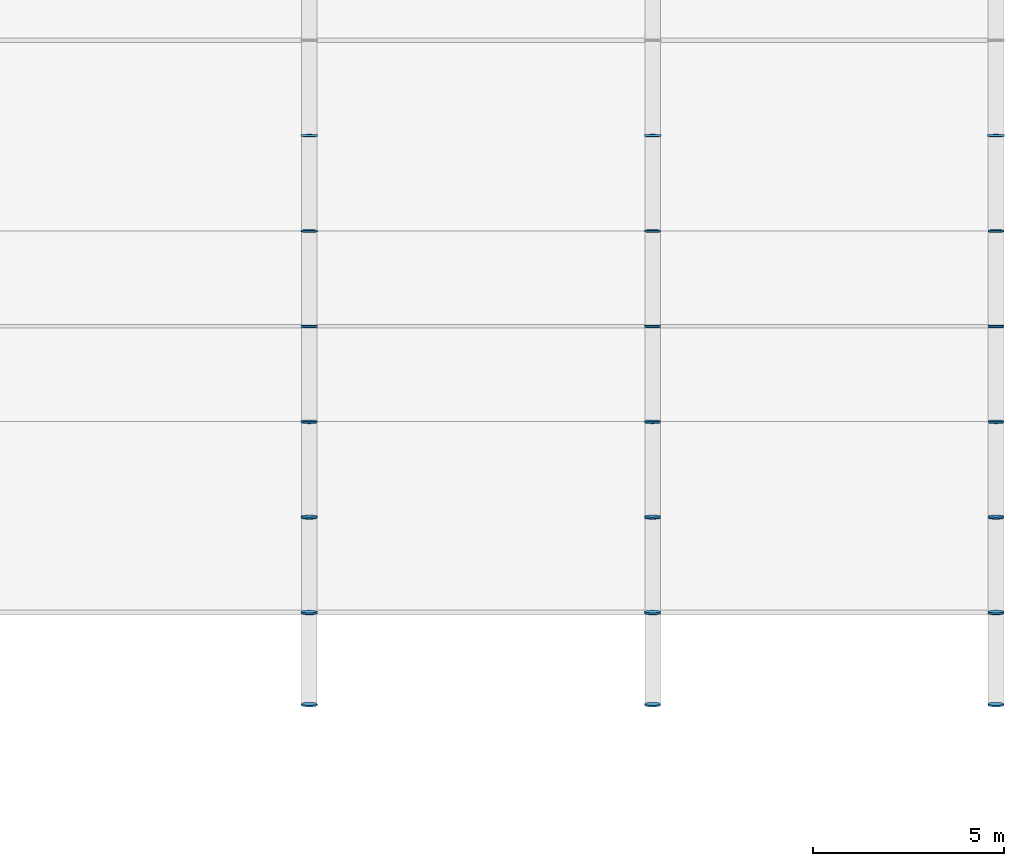
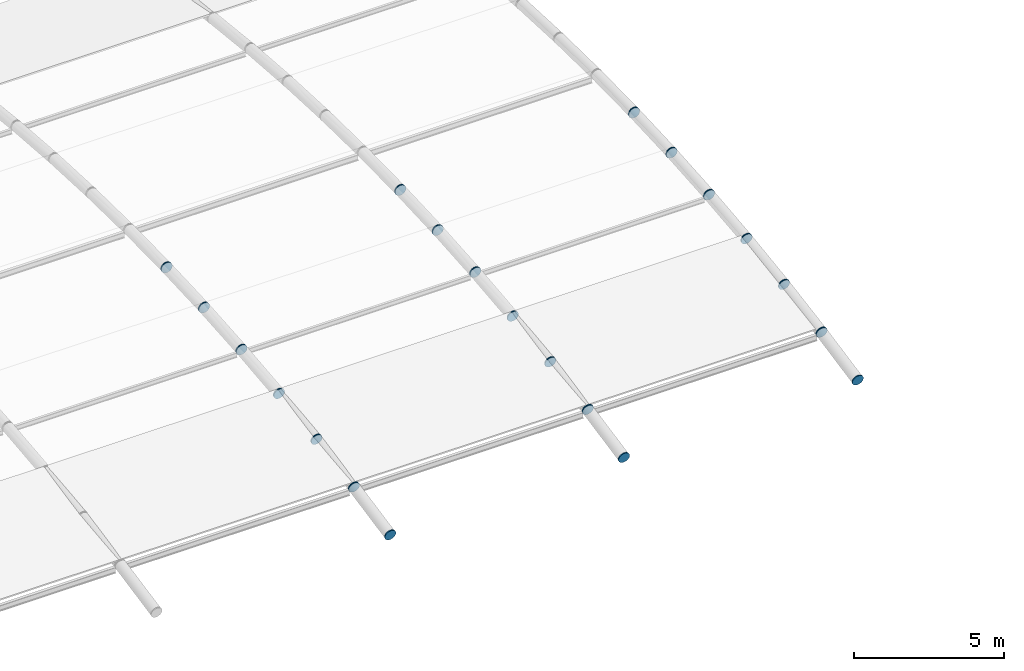
# One storey, part 79 of 105: 39 discrete accessories.
"""IFC4 building model written with IfcOpenShell, lengths in metres."""

import ifcopenshell
import ifcopenshell.guid

model = None  # the IFC model being written
_history = None  # IfcOwnerHistory: only IFC2X3 demands one
_inside = {}  # id of a spatial element -> (the spatial element, [elements in it])
_under = {}  # id of a project, library or spatial element -> (it, [spatial elements below it])
_declared = {}  # id of a project -> (the project, [libraries it declares])
_typed = {}  # id of a type object -> (the type object, [elements of that type])
_made_of = {}  # id of a material, layer set ... -> (it, [elements and type objects made of it])


def new_model(schema):
    """Start an empty IFC model of exactly this schema.

    Asked for "IFC4X3", IfcOpenShell would pick the latest addendum, in which some entities
    have other attributes; the version numbers below select the first issue.
    IFC2X3 requires an IfcOwnerHistory on every rooted entity: one is made here for all.
    """
    global model, _history
    if schema == "IFC4X3":
        model = ifcopenshell.file(schema_version=(4, 3, 0, 0))
    else:
        model = ifcopenshell.file(schema=schema)
    _inside.clear()
    _under.clear()
    _declared.clear()
    _typed.clear()
    _made_of.clear()
    _history = None
    if model.schema == "IFC2X3":
        org = make("IfcOrganization", Name="unknown")
        user = make(
            "IfcPersonAndOrganization",
            ThePerson=make("IfcPerson", FamilyName="unknown"),
            TheOrganization=org,
        )
        app = make(
            "IfcApplication",
            ApplicationDeveloper=org,
            Version="unknown",
            ApplicationFullName="unknown",
            ApplicationIdentifier="unknown",
        )
        _history = make(
            "IfcOwnerHistory",
            OwningUser=user,
            OwningApplication=app,
            ChangeAction="ADDED",
            CreationDate=0,
        )
    return model


def make(cls, **values):
    """One entity of the class cls with the attributes given. An attribute that is None is left unset."""
    return model.create_entity(
        cls, **{name: value for name, value in values.items() if value is not None}
    )


def rooted(cls, **values):
    """An entity with a GlobalId (a new one), such as an element, a storey or a relation."""
    return make(cls, GlobalId=ifcopenshell.guid.new(), OwnerHistory=_history, **values)


def si_unit(unit_type, name, prefix=None):
    """IfcSIUnit, for example si_unit("LENGTHUNIT", "METRE", prefix="MILLI")."""
    return make("IfcSIUnit", UnitType=unit_type, Prefix=prefix, Name=name)


def assignment(units):
    """IfcUnitAssignment: the units of a project."""
    return None if units is None else make("IfcUnitAssignment", Units=units)


def point(xyz):
    """IfcCartesianPoint."""
    return None if xyz is None else make("IfcCartesianPoint", Coordinates=xyz)


def direction(xyz):
    """IfcDirection."""
    return None if xyz is None else make("IfcDirection", DirectionRatios=xyz)


def frame(location, z_axis=None, x_axis=None):
    """IfcAxis2Placement3D, a coordinate frame: its origin and axes. An axis left out is left unset."""
    return make(
        "IfcAxis2Placement3D",
        Location=point(location),
        Axis=direction(z_axis),
        RefDirection=direction(x_axis),
    )


def frame_2d(location, x_axis=None):
    """IfcAxis2Placement2D, a coordinate frame in the plane: its origin and x axis."""
    return make(
        "IfcAxis2Placement2D", Location=point(location), RefDirection=direction(x_axis)
    )


def origin():
    """The frame at (0, 0, 0) with its axes left unset."""
    return frame((0.0, 0.0, 0.0))


def origin_2d():
    """The frame at (0, 0) in the plane with its x axis left unset."""
    return frame_2d((0.0, 0.0))


def place(relative_to, where):
    """IfcLocalPlacement: puts the frame where relative to a parent placement (None: the world)."""
    return make(
        "IfcLocalPlacement", PlacementRelTo=relative_to, RelativePlacement=where
    )


def context(
    kind, dimensions, precision=None, world=None, true_north=None, identifier=None
):
    """IfcGeometricRepresentationContext, for example the 3D "Model" context."""
    return make(
        "IfcGeometricRepresentationContext",
        ContextIdentifier=identifier,
        ContextType=kind,
        CoordinateSpaceDimension=dimensions,
        Precision=precision,
        WorldCoordinateSystem=world,
        TrueNorth=true_north,
    )


def subcontext(parent, identifier, kind, view, scale=None):
    """IfcGeometricRepresentationSubContext, for example "Body" below "Model"."""
    return make(
        "IfcGeometricRepresentationSubContext",
        ContextIdentifier=identifier,
        ContextType=kind,
        ParentContext=parent,
        TargetScale=scale,
        TargetView=view,
    )


def project(units=None, contexts=None):
    """IfcProject with its units and contexts."""
    return rooted(
        "IfcProject",
        Name="project",
        RepresentationContexts=contexts,
        UnitsInContext=assignment(units),
    )


def spatial(cls, under=None, at=None, **own):
    """A site, building, storey or space (cls), placed at a placement, below another one or the project."""
    s = rooted(cls, ObjectPlacement=at, **own)
    if under is not None:
        _under.setdefault(under.id(), (under, []))[1].append(s)
    return s


def profile(cls, at=None, kind="AREA", **sizes):
    """A parametric profile (cls). Its sizes go by their IFC names, for example OverallWidth=200.0."""
    return make(cls, ProfileType=kind, Position=at, **sizes)


def circle(**sizes):
    """IfcCircleProfileDef."""
    return profile("IfcCircleProfileDef", **sizes)


def extrude(swept, where, along, depth):
    """IfcExtrudedAreaSolid: the profile swept, set in the frame where, extruded along a direction by depth."""
    return make(
        "IfcExtrudedAreaSolid",
        SweptArea=swept,
        Position=where,
        ExtrudedDirection=direction(along),
        Depth=depth,
    )


def shape(context_of_items, identifier, shape_type, items):
    """IfcShapeRepresentation: the items that make up one representation, for example the "Body"."""
    return make(
        "IfcShapeRepresentation",
        ContextOfItems=context_of_items,
        RepresentationIdentifier=identifier,
        RepresentationType=shape_type,
        Items=items,
    )


def material(Name=None, Category=None):
    """IfcMaterial."""
    return make("IfcMaterial", Name=Name, Category=Category)


def made_of(thing, what):
    """Note that an element or type object is made of a material, layer set ...; save() writes the relation."""
    if what is not None:
        _made_of.setdefault(what.id(), (what, []))[1].append(thing)
    return thing


def element(
    cls,
    number,
    at=None,
    inside=None,
    cuts=None,
    type_object=None,
    material=None,
    context=None,
    identifier="Body",
    shape_type=None,
    held_by="IfcProductDefinitionShape",
    body=None,
    shapes=None,
    **own,
):
    """One element of the class cls, such as IfcWall. Its Tag is "e" and its number.

    at: its placement. inside: the storey or other place that contains it. cuts: it is an
    opening in that element (IfcRelVoidsElement). A single representation is given by context,
    identifier, shape_type and body (its items); several are given by shapes. held_by: the class
    of the entity that holds the representations. save() writes the other relations.
    """
    e = rooted(cls, Tag="e%d" % number, ObjectPlacement=at, **own)
    if body is not None:
        shapes = [shape(context, identifier, shape_type, body)]
    if shapes is not None:
        e.Representation = make(held_by, Representations=shapes)
    if inside is not None:
        _inside.setdefault(inside.id(), (inside, []))[1].append(e)
    if cuts is not None:
        rooted(
            "IfcRelVoidsElement", RelatingBuildingElement=cuts, RelatedOpeningElement=e
        )
    if type_object is not None:
        _typed.setdefault(type_object.id(), (type_object, []))[1].append(e)
    return made_of(e, material)


def aggregate(whole, parts):
    """IfcRelAggregates: a whole, such as a stair, and the parts it consists of."""
    return rooted("IfcRelAggregates", RelatingObject=whole, RelatedObjects=parts)


def save(model, path):
    """Write the relations noted so far, then the file.

    IfcRelAggregates (storeys below a building ...), IfcRelContainedInSpatialStructure (elements
    in a storey), IfcRelDefinesByType, IfcRelAssociatesMaterial and IfcRelDeclares: one each for
    every whole, place, type object, material and project.
    """
    for whole, parts in _under.values():
        aggregate(whole, parts)
    for where, things in _inside.values():
        rooted(
            "IfcRelContainedInSpatialStructure",
            RelatedElements=things,
            RelatingStructure=where,
        )
    for kind, things in _typed.values():
        rooted("IfcRelDefinesByType", RelatedObjects=things, RelatingType=kind)
    for what, things in _made_of.values():
        rooted("IfcRelAssociatesMaterial", RelatedObjects=things, RelatingMaterial=what)
    for by, libraries in _declared.values():
        rooted("IfcRelDeclares", RelatingContext=by, RelatedDefinitions=libraries)
    model.write(path)


model = new_model("IFC4")

# Units and contexts
model_context = context("Model", 3, precision=1e-05, world=origin(), true_north=direction((0.0, 1.0)))
body_context = subcontext(model_context, "Body", "Model", "MODEL_VIEW")
ifc_project = project(units=[si_unit("LENGTHUNIT", "METRE"), si_unit("AREAUNIT", "SQUARE_METRE"), si_unit("VOLUMEUNIT", "CUBIC_METRE"), si_unit("PLANEANGLEUNIT", "RADIAN"), si_unit("MASSUNIT", "GRAM", prefix="KILO")], contexts=[model_context])

# Site, building, storey
site_placement = place(None, origin())
site = spatial("IfcSite", under=ifc_project, at=site_placement, CompositionType="ELEMENT")
building_placement = place(site_placement, origin())
building = spatial("IfcBuilding", under=site, at=building_placement, Name="Marlcrest Central Station", CompositionType="ELEMENT")
storey_placement = place(building_placement, frame((0.0, 0.0, 15.0)))
storey = spatial("IfcBuildingStorey", under=building, at=storey_placement, Name="L03", CompositionType="ELEMENT", Elevation=15.0)

# Discrete accessories
ifc_material = material(Name="Steel S355", Category="steel")
for number, where, z_axis, x_axis, name in (
    (1, (198.0, 48.5654296875, -0.0859375), (0.0, 0.980359417961, 0.197219196874), (-1.0, 0.0, 0.0), "endcap-mem-AC-01-L03-01808-s"),
    (2, (198.0, 50.9755859375, 0.39892578125), (0.0, 0.980359417961, 0.197219196874), (-1.0, 0.0, 0.0), "endcap-mem-AC-01-L03-01808-e"),
    (3, (198.0, 50.985107421875, 0.4013671875), (0.0, 0.98574109921, 0.168269086076), (-1.0, 0.0, 0.0), "endcap-mem-AC-01-L03-01812-s"),
    (4, (198.0, 53.475341796875, 0.826416015625), (0.0, 0.98574109921, 0.168269086076), (-1.0, 0.0, 0.0), "endcap-mem-AC-01-L03-01812-e"),
    (5, (198.0, 53.485107421875, 0.82861328125), (0.0, 0.990402740232, 0.138211476152), (-1.0, 0.0, 0.0), "endcap-mem-AC-01-L03-01816-s"),
    (6, (198.0, 55.975341796875, 1.176025390625), (0.0, 0.990402740232, 0.138211476152), (-1.0, 0.0, 0.0), "endcap-mem-AC-01-L03-01816-e"),
    (7, (198.0, 55.985107421875, 1.177734375), (0.0, 0.994155341034, 0.107959056565), (-1.0, 0.0, 0.0), "endcap-mem-AC-01-L03-01820-s"),
    (8, (198.0, 58.47509765625, 1.4482421875), (0.0, 0.994155341034, 0.107959056565), (-1.0, 0.0, 0.0), "endcap-mem-AC-01-L03-01820-e"),
    (9, (198.0, 58.485107421875, 1.44970703125), (0.0, 0.996999825732, 0.077403795064), (-1.0, 0.0, 0.0), "endcap-mem-AC-01-L03-01824-s"),
    (10, (198.0, 60.97509765625, 1.64306640625), (0.0, 0.996999825732, 0.077403795064), (-1.0, 0.0, 0.0), "endcap-mem-AC-01-L03-01824-e"),
    (11, (198.0, 60.985107421875, 1.644287109375), (0.0, 0.998921349185, 0.046434234591), (-1.0, 0.0, 0.0), "endcap-mem-AC-01-L03-01828-s"),
    (12, (198.0, 63.47509765625, 1.760009765625), (0.0, 0.998921349185, 0.046434234591), (-1.0, 0.0, 0.0), "endcap-mem-AC-01-L03-01828-e"),
    (13, (198.0, 63.485107421875, 1.760986328125), (0.0, 0.999879472592, 0.01552547228), (-1.0, 0.0, 0.0), "endcap-mem-AC-01-L03-01832-s"),
    (14, (207.0, 48.5654296875, -0.0859375), (0.0, 0.980359417961, 0.197219196874), (-1.0, 0.0, 0.0), "endcap-mem-AC-01-L03-01924-s"),
    (15, (207.0, 50.9755859375, 0.39892578125), (0.0, 0.980359417961, 0.197219196874), (-1.0, 0.0, 0.0), "endcap-mem-AC-01-L03-01924-e"),
    (16, (207.0, 50.985107421875, 0.4013671875), (0.0, 0.98574109921, 0.168269086076), (-1.0, 0.0, 0.0), "endcap-mem-AC-01-L03-01928-s"),
    (17, (207.0, 53.475341796875, 0.826416015625), (0.0, 0.98574109921, 0.168269086076), (-1.0, 0.0, 0.0), "endcap-mem-AC-01-L03-01928-e"),
    (18, (207.0, 53.485107421875, 0.82861328125), (0.0, 0.990402740232, 0.138211476152), (-1.0, 0.0, 0.0), "endcap-mem-AC-01-L03-01932-s"),
    (19, (207.0, 55.975341796875, 1.176025390625), (0.0, 0.990402740232, 0.138211476152), (-1.0, 0.0, 0.0), "endcap-mem-AC-01-L03-01932-e"),
    (20, (207.0, 55.985107421875, 1.177734375), (0.0, 0.994155341034, 0.107959056565), (-1.0, 0.0, 0.0), "endcap-mem-AC-01-L03-01936-s"),
    (21, (207.0, 58.47509765625, 1.4482421875), (0.0, 0.994155341034, 0.107959056565), (-1.0, 0.0, 0.0), "endcap-mem-AC-01-L03-01936-e"),
    (22, (207.0, 58.485107421875, 1.44970703125), (0.0, 0.996999825732, 0.077403795064), (-1.0, 0.0, 0.0), "endcap-mem-AC-01-L03-01940-s"),
    (23, (207.0, 60.97509765625, 1.64306640625), (0.0, 0.996999825732, 0.077403795064), (-1.0, 0.0, 0.0), "endcap-mem-AC-01-L03-01940-e"),
    (24, (207.0, 60.985107421875, 1.644287109375), (0.0, 0.998921349185, 0.046434234591), (-1.0, 0.0, 0.0), "endcap-mem-AC-01-L03-01944-s"),
    (25, (207.0, 63.47509765625, 1.760009765625), (0.0, 0.998921349185, 0.046434234591), (-1.0, 0.0, 0.0), "endcap-mem-AC-01-L03-01944-e"),
    (26, (207.0, 63.485107421875, 1.760986328125), (0.0, 0.999879472592, 0.01552547228), (-1.0, 0.0, 0.0), "endcap-mem-AC-01-L03-01948-s"),
    (27, (216.0, 48.5654296875, -0.0859375), (0.0, 0.980359417961, 0.197219196874), (-1.0, 0.0, 0.0), "endcap-mem-AC-01-L03-02040-s"),
    (28, (216.0, 50.9755859375, 0.39892578125), (0.0, 0.980359417961, 0.197219196874), (-1.0, 0.0, 0.0), "endcap-mem-AC-01-L03-02040-e"),
    (29, (216.0, 50.985107421875, 0.4013671875), (0.0, 0.98574109921, 0.168269086076), (-1.0, 0.0, 0.0), "endcap-mem-AC-01-L03-02044-s"),
    (30, (216.0, 53.475341796875, 0.826416015625), (0.0, 0.98574109921, 0.168269086076), (-1.0, 0.0, 0.0), "endcap-mem-AC-01-L03-02044-e"),
    (31, (216.0, 53.485107421875, 0.82861328125), (0.0, 0.990402740232, 0.138211476152), (-1.0, 0.0, 0.0), "endcap-mem-AC-01-L03-02048-s"),
    (32, (216.0, 55.975341796875, 1.176025390625), (0.0, 0.990402740232, 0.138211476152), (-1.0, 0.0, 0.0), "endcap-mem-AC-01-L03-02048-e"),
    (33, (216.0, 55.985107421875, 1.177734375), (0.0, 0.994155341034, 0.107959056565), (-1.0, 0.0, 0.0), "endcap-mem-AC-01-L03-02052-s"),
    (34, (216.0, 58.47509765625, 1.4482421875), (0.0, 0.994155341034, 0.107959056565), (-1.0, 0.0, 0.0), "endcap-mem-AC-01-L03-02052-e"),
    (35, (216.0, 58.485107421875, 1.44970703125), (0.0, 0.996999825732, 0.077403795064), (-1.0, 0.0, 0.0), "endcap-mem-AC-01-L03-02056-s"),
    (36, (216.0, 60.97509765625, 1.64306640625), (0.0, 0.996999825732, 0.077403795064), (-1.0, 0.0, 0.0), "endcap-mem-AC-01-L03-02056-e"),
    (37, (216.0, 60.985107421875, 1.644287109375), (0.0, 0.998921349185, 0.046434234591), (-1.0, 0.0, 0.0), "endcap-mem-AC-01-L03-02060-s"),
    (38, (216.0, 63.47509765625, 1.760009765625), (0.0, 0.998921349185, 0.046434234591), (-1.0, 0.0, 0.0), "endcap-mem-AC-01-L03-02060-e"),
    (39, (216.0, 63.485107421875, 1.760986328125), (0.0, 0.999879472592, 0.01552547228), (-1.0, 0.0, 0.0), "endcap-mem-AC-01-L03-02064-s"),
):
    element("IfcDiscreteAccessory", number, at=place(storey_placement, frame(where, z_axis=z_axis, x_axis=x_axis)), inside=storey, material=ifc_material, Name=name, ObjectType="END_CAP_PLATE", PredefinedType="BRACKET", context=body_context, shape_type="SweptSolid", body=[
        extrude(circle(Radius=0.211181640625, at=origin_2d()), origin(), (0.0, 0.0, 1.0), 0.0400390625),
    ])

save(model, "model.ifc")
